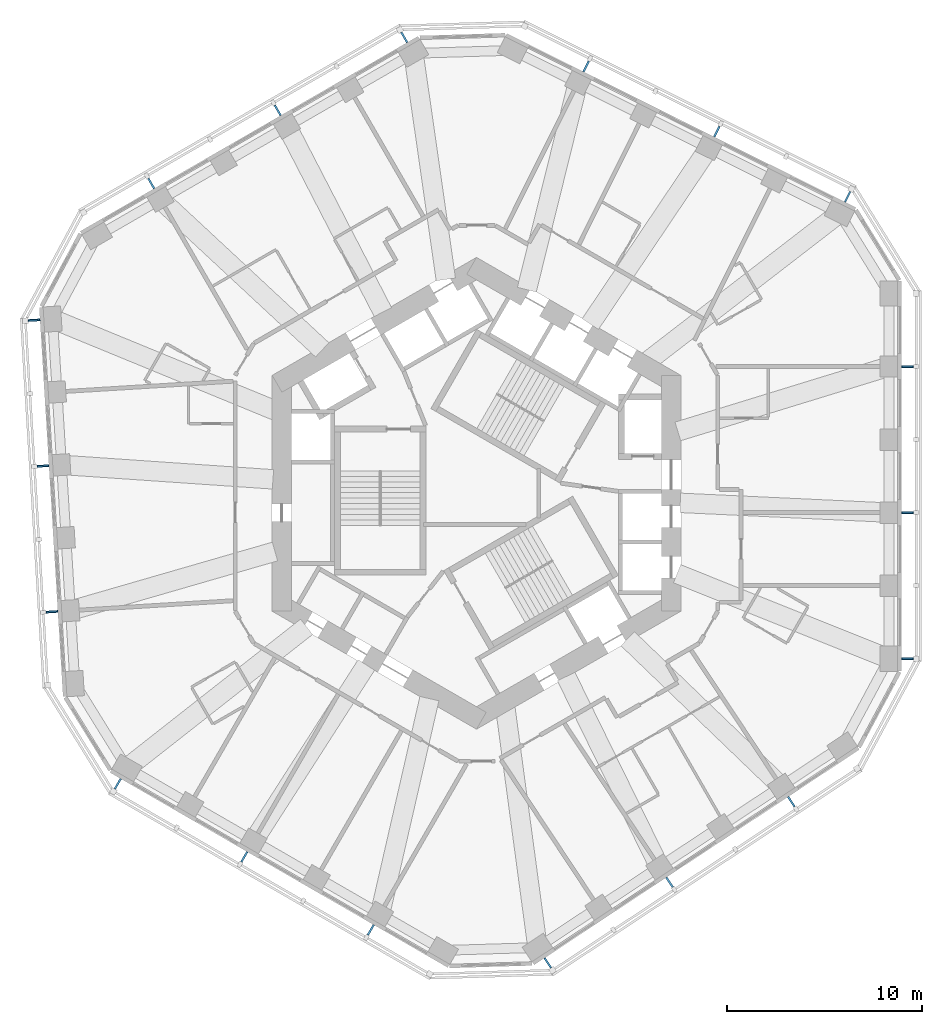
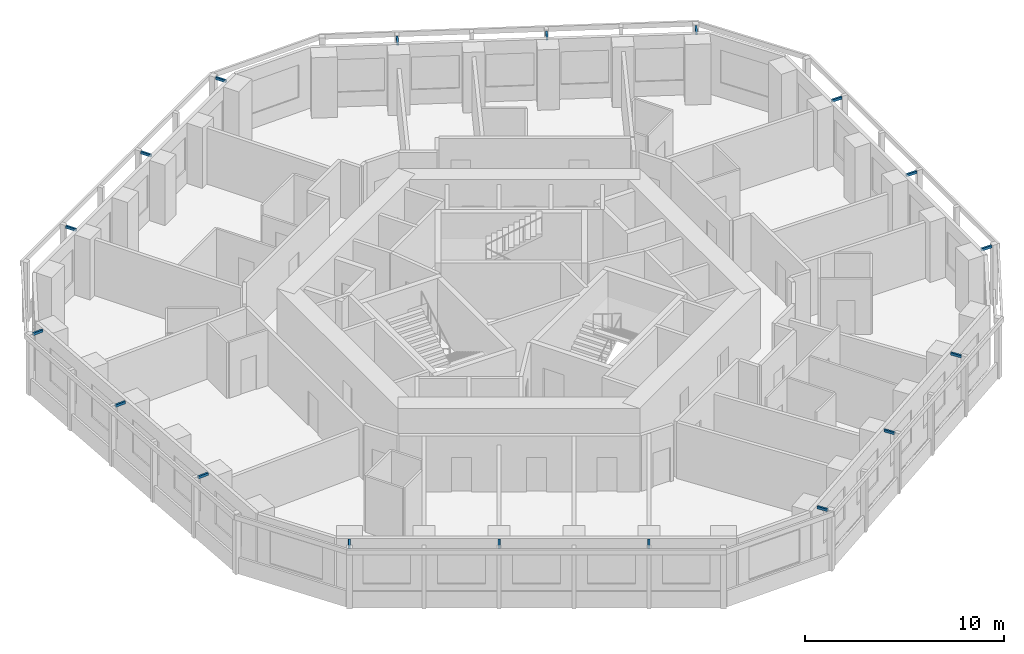
# One storey, part 10 of 11: 18 discrete accessories.
"""IFC4 building model written with IfcOpenShell, lengths in metres."""

from ifc_helpers import new_model, si_unit, direction, frame, origin, origin_2d, place, context, subcontext, project, spatial, rectangle, extrude, material, type_object, element, save


model = new_model("IFC4")

# Units and contexts
model_context = context("Model", 3, precision=1e-05, world=origin(), true_north=direction((0.0, 1.0)))
body_context = subcontext(model_context, "Body", "Model", "MODEL_VIEW")
ifc_project = project(units=[si_unit("LENGTHUNIT", "METRE"), si_unit("AREAUNIT", "SQUARE_METRE"), si_unit("VOLUMEUNIT", "CUBIC_METRE"), si_unit("PLANEANGLEUNIT", "RADIAN"), si_unit("MASSUNIT", "GRAM", prefix="KILO")], contexts=[model_context])

# Site, building, storey
site_placement = place(None, origin())
site = spatial("IfcSite", under=ifc_project, at=site_placement, CompositionType="ELEMENT")
building_placement = place(site_placement, origin())
building = spatial("IfcBuilding", under=site, at=building_placement, Name="Vanh Sen Convention Tower", CompositionType="ELEMENT")
storey_placement = place(building_placement, frame((0.0, 0.0, 128.10009765625)))
storey = spatial("IfcBuildingStorey", under=building, at=storey_placement, Name="L31", CompositionType="ELEMENT", Elevation=128.10009765625)

# Discrete accessories
ifc_material = material(Name="Steel S355", Category="steel")
discrete_accessory_type = type_object("IfcDiscreteAccessoryType", Name="Fin bracket 100 x 150", PredefinedType="BRACKET", material=ifc_material)
for number, where, z_axis, x_axis, name in (
    (1, (22.14990234375, -8.5009765625, 3.5), (0.0, 0.0, 1.0), (1.0, 0.0, 0.0), "Fin bracket E-1 L31"),
    (2, (22.14990234375, -0.992919921875, 3.5), (0.0, 0.0, 1.0), (1.0, 0.0, 0.0), "Fin bracket E-3 L31"),
    (3, (22.14990234375, 6.515380859375, 3.5), (0.0, 0.0, 1.0), (1.0, 0.0, 0.0), "Fin bracket E-5 L31"),
    (4, (19.073974609375, 15.240478515625, 3.5), (0.0, 0.0, 1.0), (0.44619781311, 0.894934361602, 0.0), "Fin bracket NE-1 L31"),
    (5, (12.3544921875, 18.5908203125, 3.5), (0.0, 0.0, 1.0), (0.44619781311, 0.894934361602, 0.0), "Fin bracket NE-3 L31"),
    (6, (5.635009765625, 21.94091796875, 3.5), (0.0, 0.0, 1.0), (0.44619781311, 0.894934361602, 0.0), "Fin bracket NE-5 L31"),
    (7, (-3.712890625, 23.432861328125, 3.5), (0.0, 0.0, 1.0), (-0.5, 0.866025403784, 0.0), "Fin bracket NW-1 L31"),
    (8, (-10.215087890625, 19.6787109375, 3.5), (0.0, 0.0, 1.0), (-0.5, 0.866025403784, 0.0), "Fin bracket NW-3 L31"),
    (9, (-16.717529296875, 15.9248046875, 3.5), (0.0, 0.0, 1.0), (-0.5, 0.866025403784, 0.0), "Fin bracket NW-5 L31"),
    (10, (-22.735595703125, 8.898193359375, 3.5), (0.0, 0.0, 1.0), (-0.998134798422, -0.061048539535, 0.0), "Fin bracket W-1 L31"),
    (11, (-22.277099609375, 1.40380859375, 3.5), (0.0, 0.0, 1.0), (-0.998134798422, -0.061048539535, 0.0), "Fin bracket W-3 L31"),
    (12, (-21.81884765625, -6.09033203125, 3.5), (0.0, 0.0, 1.0), (-0.998134798422, -0.061048539535, 0.0), "Fin bracket W-5 L31"),
    (13, (-18.43701171875, -14.931884765625, 3.5), (0.0, 0.0, 1.0), (-0.5, -0.866025403784, 0.0), "Fin bracket SW-1 L31"),
    (14, (-11.934814453125, -18.68603515625, 3.5), (0.0, 0.0, 1.0), (-0.5, -0.866025403784, 0.0), "Fin bracket SW-3 L31"),
    (15, (-5.4326171875, -22.440185546875, 3.5), (0.0, 0.0, 1.0), (-0.5, -0.866025403784, 0.0), "Fin bracket SW-5 L31"),
    (16, (3.66162109375, -24.138671875, 3.5), (0.0, 0.0, 1.0), (0.551936985312, -0.833885822067, 0.0), "Fin bracket SE-1 L31"),
    (17, (9.922607421875, -19.99462890625, 3.5), (0.0, 0.0, 1.0), (0.551936985312, -0.833885822067, 0.0), "Fin bracket SE-3 L31"),
    (18, (16.18359375, -15.8505859375, 3.5), (0.0, 0.0, 1.0), (0.551936985312, -0.833885822067, 0.0), "Fin bracket SE-5 L31"),
):
    element("IfcDiscreteAccessory", number, at=place(storey_placement, frame(where, z_axis=z_axis, x_axis=x_axis)), inside=storey, type_object=discrete_accessory_type, Name=name, PredefinedType="BRACKET", context=body_context, shape_type="SweptSolid", body=[
        extrude(rectangle(XDim=0.60009765625, YDim=0.10009765625, at=origin_2d()), origin(), (0.0, 0.0, 1.0), 0.14990234375),
    ])

save(model, "model.ifc")
